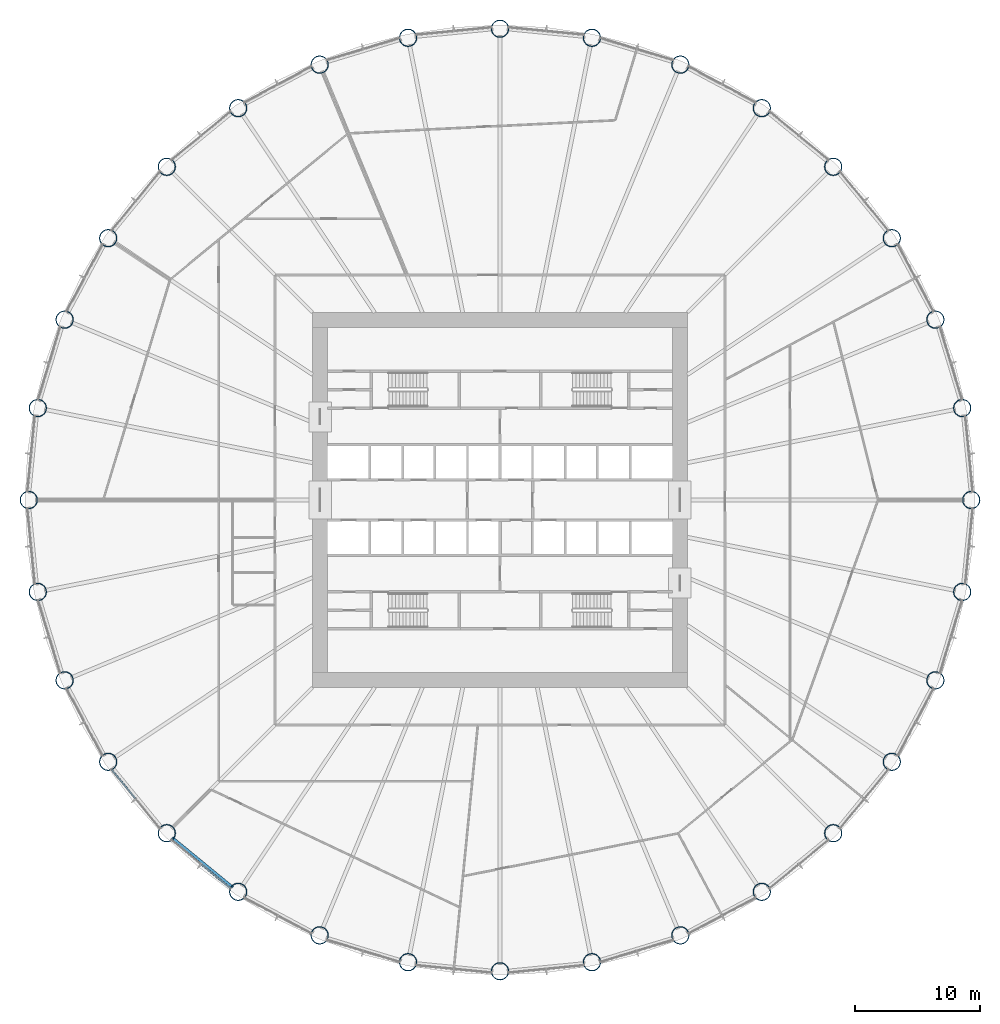
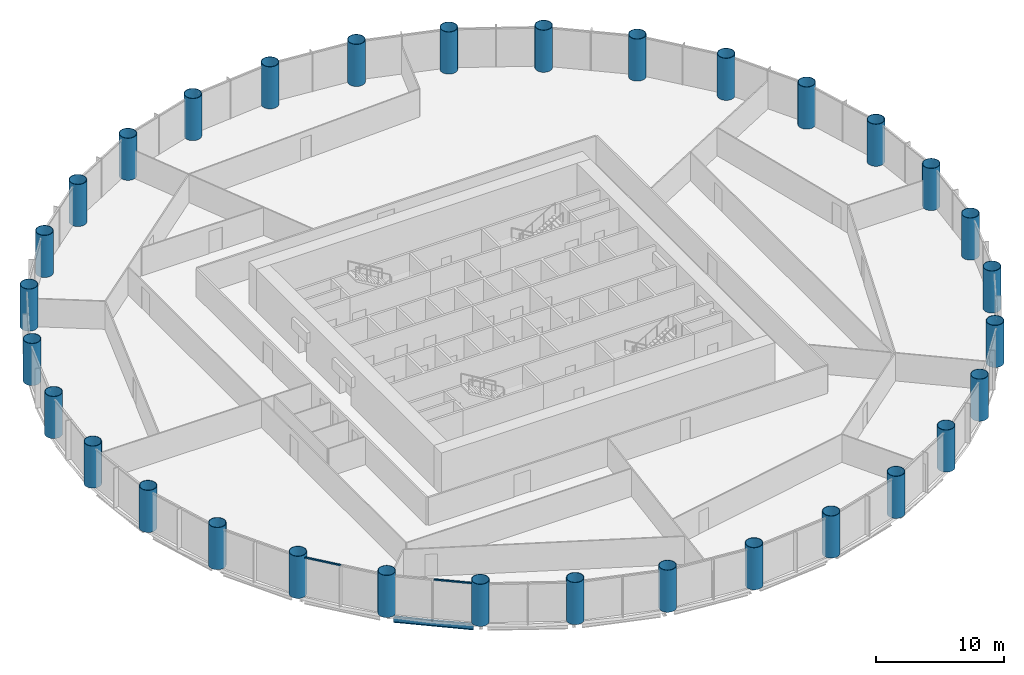
# One storey, part 1 of 14: 32 columns, 2 members, 1 beam, 2 elements without a shape of their own.
"""IFC4 building model written with IfcOpenShell, lengths in metres."""

from ifc_helpers import new_model, si_unit, direction, frame, origin, origin_2d, place, context, subcontext, project, spatial, rectangle, hollow_circle, i_section, extrude, material, material_profile, profile_set, type_object, element, aggregate, save


model = new_model("IFC4")

# Units and contexts
model_context = context("Model", 3, precision=1e-05, world=origin(), true_north=direction((0.0, 1.0)))
body_context = subcontext(model_context, "Body", "Model", "MODEL_VIEW")
ifc_project = project(units=[si_unit("LENGTHUNIT", "METRE"), si_unit("AREAUNIT", "SQUARE_METRE"), si_unit("VOLUMEUNIT", "CUBIC_METRE"), si_unit("PLANEANGLEUNIT", "RADIAN"), si_unit("MASSUNIT", "GRAM", prefix="KILO")], contexts=[model_context])

# Site, building, storey
site_placement = place(None, origin())
site = spatial("IfcSite", under=ifc_project, at=site_placement, CompositionType="ELEMENT")
building_placement = place(site_placement, origin())
building = spatial("IfcBuilding", under=site, at=building_placement, Name="Corvane Civic Tower", CompositionType="ELEMENT")
storey_placement = place(building_placement, frame((0.0, 0.0, 81.0)))
storey = spatial("IfcBuildingStorey", under=building, at=storey_placement, Name="L18", CompositionType="ELEMENT", Elevation=81.0)

# Columns
ifc_material_1 = material(Name="Steel ASTM A572 Gr 50", Category="steel")
ifc_material_profile_1 = material_profile(ifc_material_1, hollow_circle(Radius=0.699951171875, WallThickness=0.0400390625, at=origin_2d()), Name="CHS1400X40")
ifc_profile_set_1 = profile_set([ifc_material_profile_1], Name="Steel ASTM A572 Gr 50")
column_type = type_object("IfcColumnType", Name="COMPOSITE COLUMN CHS1400X40", PredefinedType="COLUMN", material=ifc_profile_set_1)
for number, where, z_axis, x_axis, name in (
    (1, (0.0, 37.699951171875, 0.0), (0.0, 0.0, 1.0), (1.0, 0.0, 0.0), "COL-L18-A01"),
    (2, (7.35498046875, 36.9755859375, 0.0), (0.0, 0.0, 1.0), (1.0, 0.0, 0.0), "COL-L18-A02"),
    (3, (14.42724609375, 34.830322265625, 0.0), (0.0, 0.0, 1.0), (1.0, 0.0, 0.0), "COL-L18-A03"),
    (4, (20.945068359375, 31.346435546875, 0.0), (0.0, 0.0, 1.0), (1.0, 0.0, 0.0), "COL-L18-A04"),
    (5, (26.657958984375, 26.657958984375, 0.0), (0.0, 0.0, 1.0), (1.0, 0.0, 0.0), "COL-L18-A05"),
    (6, (31.346435546875, 20.945068359375, 0.0), (0.0, 0.0, 1.0), (1.0, 0.0, 0.0), "COL-L18-A06"),
    (7, (34.830322265625, 14.42724609375, 0.0), (0.0, 0.0, 1.0), (1.0, 0.0, 0.0), "COL-L18-A07"),
    (8, (36.9755859375, 7.35498046875, 0.0), (0.0, 0.0, 1.0), (1.0, 0.0, 0.0), "COL-L18-A08"),
    (9, (37.699951171875, 0.0, 0.0), (0.0, 0.0, 1.0), (1.0, 0.0, 0.0), "COL-L18-A09"),
    (10, (36.9755859375, -7.35498046875, 0.0), (0.0, 0.0, 1.0), (1.0, 0.0, 0.0), "COL-L18-A10"),
    (11, (34.830322265625, -14.42724609375, 0.0), (0.0, 0.0, 1.0), (1.0, 0.0, 0.0), "COL-L18-A11"),
    (12, (31.346435546875, -20.945068359375, 0.0), (0.0, 0.0, 1.0), (1.0, 0.0, 0.0), "COL-L18-A12"),
    (13, (26.657958984375, -26.657958984375, 0.0), (0.0, 0.0, 1.0), (1.0, 0.0, 0.0), "COL-L18-A13"),
    (14, (20.945068359375, -31.346435546875, 0.0), (0.0, 0.0, 1.0), (1.0, 0.0, 0.0), "COL-L18-A14"),
    (15, (14.42724609375, -34.830322265625, 0.0), (0.0, 0.0, 1.0), (1.0, 0.0, 0.0), "COL-L18-A15"),
    (16, (7.35498046875, -36.9755859375, 0.0), (0.0, 0.0, 1.0), (1.0, 0.0, 0.0), "COL-L18-A16"),
    (17, (0.0, -37.699951171875, 0.0), (0.0, 0.0, 1.0), (1.0, 0.0, 0.0), "COL-L18-A17"),
    (18, (-7.35498046875, -36.9755859375, 0.0), (0.0, 0.0, 1.0), (1.0, 0.0, 0.0), "COL-L18-A18"),
    (19, (-14.42724609375, -34.830322265625, 0.0), (0.0, 0.0, 1.0), (1.0, 0.0, 0.0), "COL-L18-A19"),
    (20, (-20.945068359375, -31.346435546875, 0.0), (0.0, 0.0, 1.0), (1.0, 0.0, 0.0), "COL-L18-A20"),
    (21, (-26.657958984375, -26.657958984375, 0.0), (0.0, 0.0, 1.0), (1.0, 0.0, 0.0), "COL-L18-A21"),
    (22, (-31.346435546875, -20.945068359375, 0.0), (0.0, 0.0, 1.0), (1.0, 0.0, 0.0), "COL-L18-A22"),
    (23, (-34.830322265625, -14.42724609375, 0.0), (0.0, 0.0, 1.0), (1.0, 0.0, 0.0), "COL-L18-A23"),
    (24, (-36.9755859375, -7.35498046875, 0.0), (0.0, 0.0, 1.0), (1.0, 0.0, 0.0), "COL-L18-A24"),
    (25, (-37.699951171875, 0.0, 0.0), (0.0, 0.0, 1.0), (1.0, 0.0, 0.0), "COL-L18-A25"),
    (26, (-36.9755859375, 7.35498046875, 0.0), (0.0, 0.0, 1.0), (1.0, 0.0, 0.0), "COL-L18-A26"),
    (27, (-34.830322265625, 14.42724609375, 0.0), (0.0, 0.0, 1.0), (1.0, 0.0, 0.0), "COL-L18-A27"),
    (28, (-31.346435546875, 20.945068359375, 0.0), (0.0, 0.0, 1.0), (1.0, 0.0, 0.0), "COL-L18-A28"),
    (29, (-26.657958984375, 26.657958984375, 0.0), (0.0, 0.0, 1.0), (1.0, 0.0, 0.0), "COL-L18-A29"),
    (30, (-20.945068359375, 31.346435546875, 0.0), (0.0, 0.0, 1.0), (1.0, 0.0, 0.0), "COL-L18-A30"),
    (31, (-14.42724609375, 34.830322265625, 0.0), (0.0, 0.0, 1.0), (1.0, 0.0, 0.0), "COL-L18-A31"),
    (32, (-7.35498046875, 36.9755859375, 0.0), (0.0, 0.0, 1.0), (1.0, 0.0, 0.0), "COL-L18-A32"),
):
    element("IfcColumn", number, at=place(storey_placement, frame(where, z_axis=z_axis, x_axis=x_axis)), inside=storey, type_object=column_type, Name=name, PredefinedType="COLUMN", context=body_context, shape_type="SweptSolid", body=[
        extrude(hollow_circle(Radius=0.699951171875, WallThickness=0.0400390625, at=origin_2d()), origin(), (0.0, 0.0, 1.0), 4.0),
    ])

# Beam
ifc_material_2 = material(Name="Steel ASTM A992 Gr 50", Category="steel")
ifc_material_profile_2 = material_profile(ifc_material_2, i_section(OverallWidth=0.209228515625, OverallDepth=0.533447265625, WebThickness=0.01025390625, FlangeThickness=0.015625, at=origin_2d()), Name="W21X62")
ifc_profile_set_2 = profile_set([ifc_material_profile_2], Name="Steel ASTM A992 Gr 50")
beam_type = type_object("IfcBeamType", Name="EDGE BEAM W21X62", PredefinedType="BEAM", material=ifc_profile_set_2)
beam_placement = place(storey_placement, frame((-21.3701171875, -30.99755859375, -0.566650390625), z_axis=(-0.773015785286, 0.634386787141, 0.0), x_axis=(-0.634386787141, -0.773015785286, 0.0)))
element("IfcBeam", 33, at=beam_placement, inside=storey, type_object=beam_type, Name="BM-L18-E20", PredefinedType="BEAM", context=body_context, shape_type="SweptSolid", body=[
    extrude(i_section(OverallWidth=0.209228515625, OverallDepth=0.533447265625, WebThickness=0.01025390625, FlangeThickness=0.015625, at=origin_2d()), origin(), (0.0, 0.0, 1.0), 6.290771484375),
])

# Curtain wall, member
ifc_material_3 = material(Name="Anodised aluminium bronze", Category="aluminium")
curtain_wall_type = type_object("IfcCurtainWallType", Name="TOWER CW-T1 STICK CURTAIN WALL", PredefinedType="NOTDEFINED", material=ifc_material_3)
curtain_wall_1_placement = place(storey_placement, origin())
curtain_wall_1 = element("IfcCurtainWall", 34, at=curtain_wall_1_placement, inside=storey, type_object=curtain_wall_type, Name="Curtain wall CW-T1 L18 bay 20", PredefinedType="NOTDEFINED")
ifc_material_4 = material(Name="Anodised aluminium bronze", Category="aluminium")
ifc_material_profile_3 = material_profile(ifc_material_4, rectangle(XDim=0.139892578125, YDim=0.1201171875, at=origin_2d()), Name="TOWER CW-T1 TRANSOM 140x120")
ifc_profile_set_3 = profile_set([ifc_material_profile_3], Name="Anodised aluminium bronze")
member_type = type_object("IfcMemberType", Name="TOWER CW-T1 TRANSOM 140x120", PredefinedType="USERDEFINED", material=ifc_profile_set_3)
member_1_placement = place(storey_placement, frame((-21.55859375, -31.074462890625, 3.68994140625), z_axis=(-0.773041738279, 0.634355161466, 0.0), x_axis=(-0.634355161466, -0.773041738279, 0.0)))
member_1 = element("IfcMember", 35, at=member_1_placement, type_object=member_type, Name="Transom CW-T1 L18 20.1", ObjectType="TRANSOM", PredefinedType="USERDEFINED", context=body_context, shape_type="SweptSolid", body=[
    extrude(rectangle(XDim=0.139892578125, YDim=0.1201171875, at=origin_2d()), origin(), (0.0, 0.0, 1.0), 3.008544921875),
])
aggregate(curtain_wall_1, [member_1])

curtain_wall_2_placement = place(storey_placement, origin())
curtain_wall_2 = element("IfcCurtainWall", 36, at=curtain_wall_2_placement, inside=storey, type_object=curtain_wall_type, Name="Curtain wall CW-T1 L18 bay 21", PredefinedType="NOTDEFINED")
member_2_placement = place(storey_placement, frame((-29.166015625, -23.88427734375, 3.68994140625), z_axis=(-0.634355161466, 0.773041738279, 0.0), x_axis=(-0.773041738279, -0.634355161466, 0.0)))
member_2 = element("IfcMember", 37, at=member_2_placement, type_object=member_type, Name="Transom CW-T1 L18 21.2", ObjectType="TRANSOM", PredefinedType="USERDEFINED", context=body_context, shape_type="SweptSolid", body=[
    extrude(rectangle(XDim=0.139892578125, YDim=0.1201171875, at=origin_2d()), origin(), (0.0, 0.0, 1.0), 3.008544921875),
])
aggregate(curtain_wall_2, [member_2])

save(model, "model.ifc")
